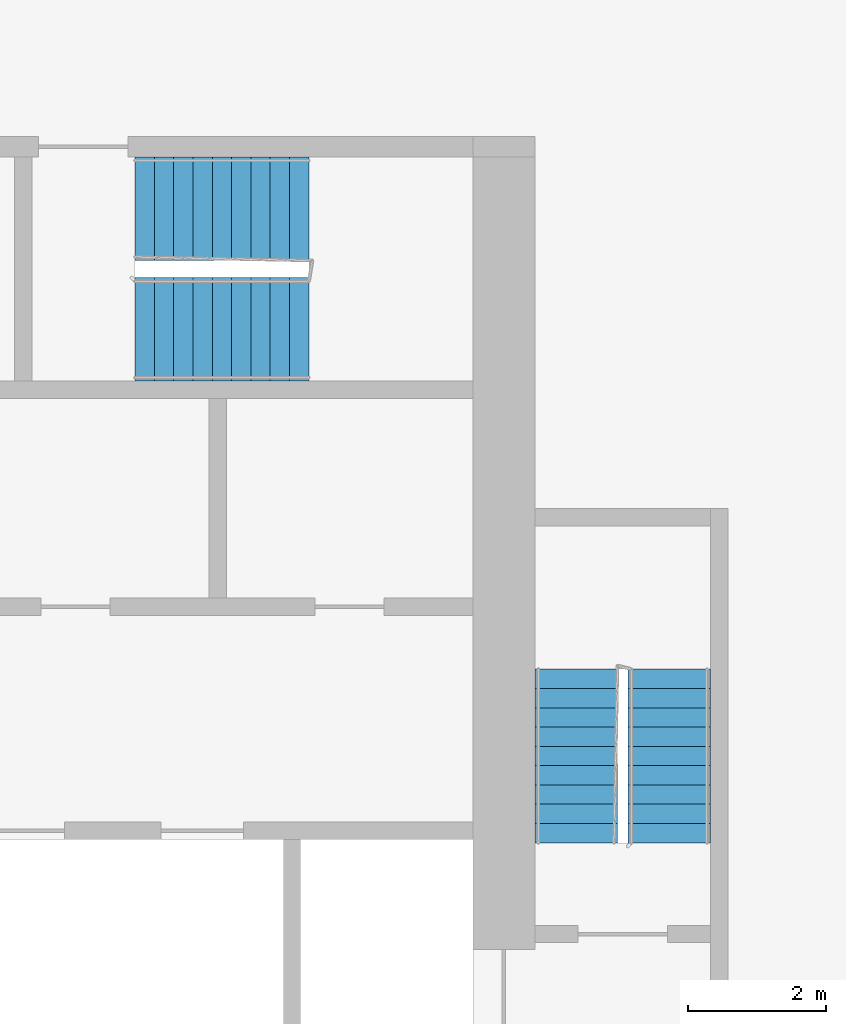
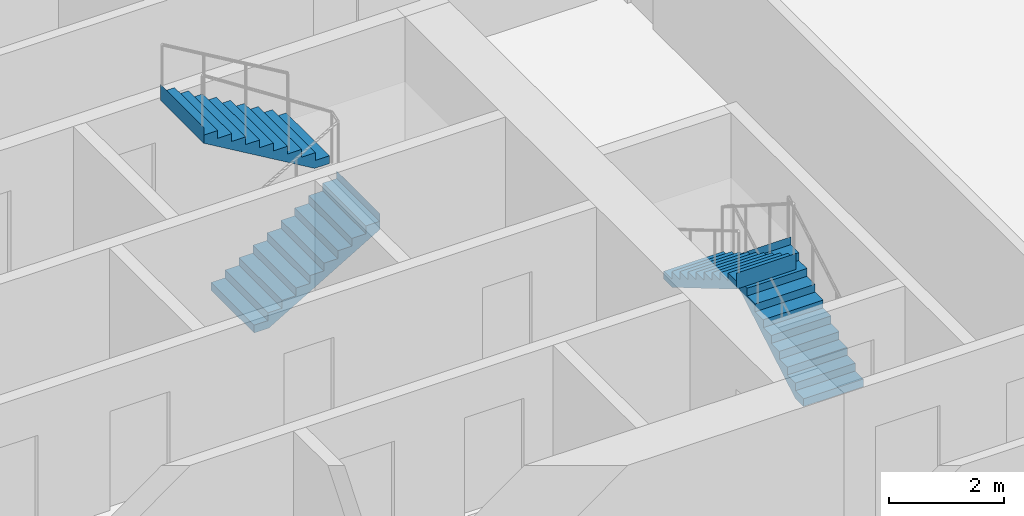
# One storey, part 10 of 12: 4 stair flights, 2 elements without a shape of their own.
"""IFC4 building model written with IfcOpenShell, lengths in metres."""

from ifc_helpers import new_model, si_unit, direction, frame, origin, place, context, subcontext, project, spatial, faceted_brep, material, type_object, element, aggregate, save


model = new_model("IFC4")

# Units and contexts
model_context = context("Model", 3, precision=1e-05, world=origin(), true_north=direction((0.0, 1.0)))
body_context = subcontext(model_context, "Body", "Model", "MODEL_VIEW")
ifc_project = project(units=[si_unit("LENGTHUNIT", "METRE"), si_unit("AREAUNIT", "SQUARE_METRE"), si_unit("VOLUMEUNIT", "CUBIC_METRE"), si_unit("PLANEANGLEUNIT", "RADIAN"), si_unit("MASSUNIT", "GRAM", prefix="KILO")], contexts=[model_context])

# Site, building, storey
site_placement = place(None, origin())
site = spatial("IfcSite", under=ifc_project, at=site_placement, CompositionType="ELEMENT")
building_placement = place(site_placement, origin())
building = spatial("IfcBuilding", under=site, at=building_placement, Name="Kajstack Hotel Tower", CompositionType="ELEMENT")
storey_placement = place(building_placement, frame((0.0, 0.0, 217.699951171875)))
storey = spatial("IfcBuildingStorey", under=building, at=storey_placement, Name="L52", CompositionType="ELEMENT", Elevation=217.699951171875)

# Stair, stair flights
ifc_material = material(Name="Concrete C40/50", Category="concrete")
stair_type_1 = type_object("IfcStairType", Name="Exit stair 1200", PredefinedType="HALF_TURN_STAIR", material=ifc_material)
stair_1_placement = place(storey_placement, origin())
stair_1 = element("IfcStair", 1, at=stair_1_placement, inside=storey, type_object=stair_type_1, Name="L52 stair E1", PredefinedType="HALF_TURN_STAIR")
stair_flight_type_1 = type_object("IfcStairFlightType", Name="Exit stair flight 1200", PredefinedType="STRAIGHT", material=ifc_material)
stair_flight_1_placement = place(storey_placement, frame((33.449951171875, 5.25, 0.0), z_axis=(0.0, 0.0, 1.0), x_axis=(0.0, 1.0, 0.0)))
stair_flight_1 = element("IfcStairFlight", 2, at=stair_flight_1_placement, type_object=stair_flight_type_1, Name="E1 flight 1", NumberOfRisers=10, NumberOfTreads=9, PredefinedType="STRAIGHT", RiserHeight=0.165, TreadLength=0.28, context=body_context, shape_type="Brep", body=[
    faceted_brep([(0.295654296875, -0.60009765625, 0.0), (2.5205078125, -0.60009765625, 1.31103515625), (2.5205078125, -0.60009765625, 1.64990234375), (2.52001953125, -0.60009765625, 1.64990234375), (2.52001953125, -0.60009765625, 1.485107421875), (2.239990234375, -0.60009765625, 1.485107421875), (2.239990234375, -0.60009765625, 1.320068359375), (1.9599609375, -0.60009765625, 1.320068359375), (1.9599609375, -0.60009765625, 1.155029296875), (1.679931640625, -0.60009765625, 1.155029296875), (1.679931640625, -0.60009765625, 0.989990234375), (1.39990234375, -0.60009765625, 0.989990234375), (1.39990234375, -0.60009765625, 0.824951171875), (1.1201171875, -0.60009765625, 0.824951171875), (1.1201171875, -0.60009765625, 0.659912109375), (0.840087890625, -0.60009765625, 0.659912109375), (0.840087890625, -0.60009765625, 0.4951171875), (0.56005859375, -0.60009765625, 0.4951171875), (0.56005859375, -0.60009765625, 0.330078125), (0.280029296875, -0.60009765625, 0.330078125), (0.280029296875, -0.60009765625, 0.1650390625), (-0.00048828125, -0.60009765625, 0.1650390625), (-0.00048828125, -0.60009765625, 0.0), (-0.00048828125, 0.60009765625, 0.0), (-0.00048828125, 0.60009765625, 0.1650390625), (0.280029296875, 0.60009765625, 0.1650390625), (0.280029296875, 0.60009765625, 0.330078125), (0.56005859375, 0.60009765625, 0.330078125), (0.56005859375, 0.60009765625, 0.4951171875), (0.840087890625, 0.60009765625, 0.4951171875), (0.840087890625, 0.60009765625, 0.659912109375), (1.1201171875, 0.60009765625, 0.659912109375), (1.1201171875, 0.60009765625, 0.824951171875), (1.39990234375, 0.60009765625, 0.824951171875), (1.39990234375, 0.60009765625, 0.989990234375), (1.679931640625, 0.60009765625, 0.989990234375), (1.679931640625, 0.60009765625, 1.155029296875), (1.9599609375, 0.60009765625, 1.155029296875), (1.9599609375, 0.60009765625, 1.320068359375), (2.239990234375, 0.60009765625, 1.320068359375), (2.239990234375, 0.60009765625, 1.485107421875), (2.52001953125, 0.60009765625, 1.485107421875), (2.52001953125, 0.60009765625, 1.64990234375), (2.5205078125, 0.60009765625, 1.64990234375), (2.5205078125, 0.60009765625, 1.31103515625), (0.295654296875, 0.60009765625, 0.0), (-0.00048828125, -0.300048828125, 0.1650390625), (-0.00048828125, 0.0, 0.1650390625), (-0.00048828125, 0.300048828125, 0.1650390625), (-0.00048828125, 0.300048828125, 0.0), (-0.00048828125, 0.0, 0.0), (-0.00048828125, -0.300048828125, 0.0), (0.280029296875, -0.300048828125, 0.1650390625), (0.280029296875, 0.0, 0.1650390625), (0.280029296875, 0.300048828125, 0.1650390625), (0.280029296875, -0.300048828125, 0.330078125), (0.280029296875, 0.0, 0.330078125), (0.280029296875, 0.300048828125, 0.330078125), (0.56005859375, -0.300048828125, 0.330078125), (0.56005859375, 0.0, 0.330078125), (0.56005859375, 0.300048828125, 0.330078125), (0.56005859375, -0.300048828125, 0.4951171875), (0.56005859375, 0.0, 0.4951171875), (0.56005859375, 0.300048828125, 0.4951171875), (0.840087890625, -0.300048828125, 0.4951171875), (0.840087890625, 0.0, 0.4951171875), (0.840087890625, 0.300048828125, 0.4951171875), (0.840087890625, -0.300048828125, 0.659912109375), (0.840087890625, 0.0, 0.659912109375), (0.840087890625, 0.300048828125, 0.659912109375), (1.1201171875, -0.300048828125, 0.659912109375), (1.1201171875, 0.0, 0.659912109375), (1.1201171875, 0.300048828125, 0.659912109375), (1.1201171875, -0.300048828125, 0.824951171875), (1.1201171875, 0.0, 0.824951171875), (1.1201171875, 0.300048828125, 0.824951171875), (1.39990234375, -0.300048828125, 0.824951171875), (1.39990234375, 0.0, 0.824951171875), (1.39990234375, 0.300048828125, 0.824951171875), (1.39990234375, -0.300048828125, 0.989990234375), (1.39990234375, 0.0, 0.989990234375), (1.39990234375, 0.300048828125, 0.989990234375), (1.679931640625, -0.300048828125, 0.989990234375), (1.679931640625, 0.0, 0.989990234375), (1.679931640625, 0.300048828125, 0.989990234375), (1.679931640625, -0.300048828125, 1.155029296875), (1.679931640625, 0.0, 1.155029296875), (1.679931640625, 0.300048828125, 1.155029296875), (1.9599609375, -0.300048828125, 1.155029296875), (1.9599609375, 0.0, 1.155029296875), (1.9599609375, 0.300048828125, 1.155029296875), (1.9599609375, -0.300048828125, 1.320068359375), (1.9599609375, 0.0, 1.320068359375), (1.9599609375, 0.300048828125, 1.320068359375), (2.239990234375, -0.300048828125, 1.320068359375), (2.239990234375, 0.0, 1.320068359375), (2.239990234375, 0.300048828125, 1.320068359375), (2.239990234375, -0.300048828125, 1.485107421875), (2.239990234375, 0.0, 1.485107421875), (2.239990234375, 0.300048828125, 1.485107421875), (2.52001953125, -0.300048828125, 1.485107421875), (2.52001953125, 0.0, 1.485107421875), (2.52001953125, 0.300048828125, 1.485107421875), (2.52001953125, -0.300048828125, 1.64990234375), (2.52001953125, 0.0, 1.64990234375), (2.52001953125, 0.300048828125, 1.64990234375), (2.5205078125, -0.300048828125, 1.64990234375), (2.5205078125, 0.0, 1.64990234375), (2.5205078125, 0.300048828125, 1.64990234375), (2.5205078125, -0.300048828125, 1.31103515625), (2.5205078125, 0.0, 1.31103515625), (2.5205078125, 0.300048828125, 1.31103515625), (0.295654296875, -0.300048828125, 0.0), (0.295654296875, 0.0, 0.0), (0.295654296875, 0.300048828125, 0.0)], [[[0, 1, 2, 3, 4, 5, 6, 7, 8, 9, 10, 11, 12, 13, 14, 15, 16, 17, 18, 19, 20, 21, 22]], [[23, 24, 25, 26, 27, 28, 29, 30, 31, 32, 33, 34, 35, 36, 37, 38, 39, 40, 41, 42, 43, 44, 45]], [[21, 46, 47, 48, 24, 23, 49, 50, 51, 22]], [[20, 52, 53, 54, 25, 24, 48, 47, 46, 21]], [[19, 55, 56, 57, 26, 25, 54, 53, 52, 20]], [[18, 58, 59, 60, 27, 26, 57, 56, 55, 19]], [[17, 61, 62, 63, 28, 27, 60, 59, 58, 18]], [[16, 64, 65, 66, 29, 28, 63, 62, 61, 17]], [[15, 67, 68, 69, 30, 29, 66, 65, 64, 16]], [[14, 70, 71, 72, 31, 30, 69, 68, 67, 15]], [[13, 73, 74, 75, 32, 31, 72, 71, 70, 14]], [[12, 76, 77, 78, 33, 32, 75, 74, 73, 13]], [[11, 79, 80, 81, 34, 33, 78, 77, 76, 12]], [[10, 82, 83, 84, 35, 34, 81, 80, 79, 11]], [[9, 85, 86, 87, 36, 35, 84, 83, 82, 10]], [[8, 88, 89, 90, 37, 36, 87, 86, 85, 9]], [[7, 91, 92, 93, 38, 37, 90, 89, 88, 8]], [[6, 94, 95, 96, 39, 38, 93, 92, 91, 7]], [[5, 97, 98, 99, 40, 39, 96, 95, 94, 6]], [[4, 100, 101, 102, 41, 40, 99, 98, 97, 5]], [[3, 103, 104, 105, 42, 41, 102, 101, 100, 4]], [[2, 106, 107, 108, 43, 42, 105, 104, 103, 3]], [[1, 109, 110, 111, 44, 43, 108, 107, 106, 2]], [[0, 112, 113, 114, 45, 44, 111, 110, 109, 1]], [[22, 51, 50, 49, 23, 45, 114, 113, 112, 0]]]),
])
stair_flight_2_placement = place(storey_placement, frame((32.10009765625, 7.77001953125, 1.650146484375), z_axis=(0.0, 0.0, 1.0), x_axis=(0.0, -1.0, 0.0)))
stair_flight_2 = element("IfcStairFlight", 3, at=stair_flight_2_placement, type_object=stair_flight_type_1, Name="E1 flight 2", NumberOfRisers=10, NumberOfTreads=9, PredefinedType="STRAIGHT", RiserHeight=0.165, TreadLength=0.28, context=body_context, shape_type="Brep", body=[
    faceted_brep([(0.295654296875, -0.60009765625, 0.0), (2.5205078125, -0.60009765625, 1.31103515625), (2.5205078125, -0.60009765625, 1.64990234375), (2.52001953125, -0.60009765625, 1.64990234375), (2.52001953125, -0.60009765625, 1.485107421875), (2.239990234375, -0.60009765625, 1.485107421875), (2.239990234375, -0.60009765625, 1.320068359375), (1.9599609375, -0.60009765625, 1.320068359375), (1.9599609375, -0.60009765625, 1.155029296875), (1.679931640625, -0.60009765625, 1.155029296875), (1.679931640625, -0.60009765625, 0.989990234375), (1.39990234375, -0.60009765625, 0.989990234375), (1.39990234375, -0.60009765625, 0.824951171875), (1.1201171875, -0.60009765625, 0.824951171875), (1.1201171875, -0.60009765625, 0.659912109375), (0.840087890625, -0.60009765625, 0.659912109375), (0.840087890625, -0.60009765625, 0.4951171875), (0.56005859375, -0.60009765625, 0.4951171875), (0.56005859375, -0.60009765625, 0.330078125), (0.280029296875, -0.60009765625, 0.330078125), (0.280029296875, -0.60009765625, 0.1650390625), (-0.00048828125, -0.60009765625, 0.1650390625), (-0.00048828125, -0.60009765625, 0.0), (-0.00048828125, 0.60009765625, 0.0), (-0.00048828125, 0.60009765625, 0.1650390625), (0.280029296875, 0.60009765625, 0.1650390625), (0.280029296875, 0.60009765625, 0.330078125), (0.56005859375, 0.60009765625, 0.330078125), (0.56005859375, 0.60009765625, 0.4951171875), (0.840087890625, 0.60009765625, 0.4951171875), (0.840087890625, 0.60009765625, 0.659912109375), (1.1201171875, 0.60009765625, 0.659912109375), (1.1201171875, 0.60009765625, 0.824951171875), (1.39990234375, 0.60009765625, 0.824951171875), (1.39990234375, 0.60009765625, 0.989990234375), (1.679931640625, 0.60009765625, 0.989990234375), (1.679931640625, 0.60009765625, 1.155029296875), (1.9599609375, 0.60009765625, 1.155029296875), (1.9599609375, 0.60009765625, 1.320068359375), (2.239990234375, 0.60009765625, 1.320068359375), (2.239990234375, 0.60009765625, 1.485107421875), (2.52001953125, 0.60009765625, 1.485107421875), (2.52001953125, 0.60009765625, 1.64990234375), (2.5205078125, 0.60009765625, 1.64990234375), (2.5205078125, 0.60009765625, 1.31103515625), (0.295654296875, 0.60009765625, 0.0), (-0.00048828125, -0.300048828125, 0.1650390625), (-0.00048828125, 0.0, 0.1650390625), (-0.00048828125, 0.300048828125, 0.1650390625), (-0.00048828125, 0.300048828125, 0.0), (-0.00048828125, 0.0, 0.0), (-0.00048828125, -0.300048828125, 0.0), (0.280029296875, -0.300048828125, 0.1650390625), (0.280029296875, 0.0, 0.1650390625), (0.280029296875, 0.300048828125, 0.1650390625), (0.280029296875, -0.300048828125, 0.330078125), (0.280029296875, 0.0, 0.330078125), (0.280029296875, 0.300048828125, 0.330078125), (0.56005859375, -0.300048828125, 0.330078125), (0.56005859375, 0.0, 0.330078125), (0.56005859375, 0.300048828125, 0.330078125), (0.56005859375, -0.300048828125, 0.4951171875), (0.56005859375, 0.0, 0.4951171875), (0.56005859375, 0.300048828125, 0.4951171875), (0.840087890625, -0.300048828125, 0.4951171875), (0.840087890625, 0.0, 0.4951171875), (0.840087890625, 0.300048828125, 0.4951171875), (0.840087890625, -0.300048828125, 0.659912109375), (0.840087890625, 0.0, 0.659912109375), (0.840087890625, 0.300048828125, 0.659912109375), (1.1201171875, -0.300048828125, 0.659912109375), (1.1201171875, 0.0, 0.659912109375), (1.1201171875, 0.300048828125, 0.659912109375), (1.1201171875, -0.300048828125, 0.824951171875), (1.1201171875, 0.0, 0.824951171875), (1.1201171875, 0.300048828125, 0.824951171875), (1.39990234375, -0.300048828125, 0.824951171875), (1.39990234375, 0.0, 0.824951171875), (1.39990234375, 0.300048828125, 0.824951171875), (1.39990234375, -0.300048828125, 0.989990234375), (1.39990234375, 0.0, 0.989990234375), (1.39990234375, 0.300048828125, 0.989990234375), (1.679931640625, -0.300048828125, 0.989990234375), (1.679931640625, 0.0, 0.989990234375), (1.679931640625, 0.300048828125, 0.989990234375), (1.679931640625, -0.300048828125, 1.155029296875), (1.679931640625, 0.0, 1.155029296875), (1.679931640625, 0.300048828125, 1.155029296875), (1.9599609375, -0.300048828125, 1.155029296875), (1.9599609375, 0.0, 1.155029296875), (1.9599609375, 0.300048828125, 1.155029296875), (1.9599609375, -0.300048828125, 1.320068359375), (1.9599609375, 0.0, 1.320068359375), (1.9599609375, 0.300048828125, 1.320068359375), (2.239990234375, -0.300048828125, 1.320068359375), (2.239990234375, 0.0, 1.320068359375), (2.239990234375, 0.300048828125, 1.320068359375), (2.239990234375, -0.300048828125, 1.485107421875), (2.239990234375, 0.0, 1.485107421875), (2.239990234375, 0.300048828125, 1.485107421875), (2.52001953125, -0.300048828125, 1.485107421875), (2.52001953125, 0.0, 1.485107421875), (2.52001953125, 0.300048828125, 1.485107421875), (2.52001953125, -0.300048828125, 1.64990234375), (2.52001953125, 0.0, 1.64990234375), (2.52001953125, 0.300048828125, 1.64990234375), (2.5205078125, -0.300048828125, 1.64990234375), (2.5205078125, 0.0, 1.64990234375), (2.5205078125, 0.300048828125, 1.64990234375), (2.5205078125, -0.300048828125, 1.31103515625), (2.5205078125, 0.0, 1.31103515625), (2.5205078125, 0.300048828125, 1.31103515625), (0.295654296875, -0.300048828125, 0.0), (0.295654296875, 0.0, 0.0), (0.295654296875, 0.300048828125, 0.0)], [[[0, 1, 2, 3, 4, 5, 6, 7, 8, 9, 10, 11, 12, 13, 14, 15, 16, 17, 18, 19, 20, 21, 22]], [[23, 24, 25, 26, 27, 28, 29, 30, 31, 32, 33, 34, 35, 36, 37, 38, 39, 40, 41, 42, 43, 44, 45]], [[21, 46, 47, 48, 24, 23, 49, 50, 51, 22]], [[20, 52, 53, 54, 25, 24, 48, 47, 46, 21]], [[19, 55, 56, 57, 26, 25, 54, 53, 52, 20]], [[18, 58, 59, 60, 27, 26, 57, 56, 55, 19]], [[17, 61, 62, 63, 28, 27, 60, 59, 58, 18]], [[16, 64, 65, 66, 29, 28, 63, 62, 61, 17]], [[15, 67, 68, 69, 30, 29, 66, 65, 64, 16]], [[14, 70, 71, 72, 31, 30, 69, 68, 67, 15]], [[13, 73, 74, 75, 32, 31, 72, 71, 70, 14]], [[12, 76, 77, 78, 33, 32, 75, 74, 73, 13]], [[11, 79, 80, 81, 34, 33, 78, 77, 76, 12]], [[10, 82, 83, 84, 35, 34, 81, 80, 79, 11]], [[9, 85, 86, 87, 36, 35, 84, 83, 82, 10]], [[8, 88, 89, 90, 37, 36, 87, 86, 85, 9]], [[7, 91, 92, 93, 38, 37, 90, 89, 88, 8]], [[6, 94, 95, 96, 39, 38, 93, 92, 91, 7]], [[5, 97, 98, 99, 40, 39, 96, 95, 94, 6]], [[4, 100, 101, 102, 41, 40, 99, 98, 97, 5]], [[3, 103, 104, 105, 42, 41, 102, 101, 100, 4]], [[2, 106, 107, 108, 43, 42, 105, 104, 103, 3]], [[1, 109, 110, 111, 44, 43, 108, 107, 106, 2]], [[0, 112, 113, 114, 45, 44, 111, 110, 109, 1]], [[22, 51, 50, 49, 23, 45, 114, 113, 112, 0]]]),
])
aggregate(stair_1, [stair_flight_1, stair_flight_2])

stair_type_2 = type_object("IfcStairType", Name="Exit stair 1500", PredefinedType="HALF_TURN_STAIR", material=ifc_material)
stair_2_placement = place(storey_placement, origin())
stair_2 = element("IfcStair", 4, at=stair_2_placement, inside=storey, type_object=stair_type_2, Name="L52 stair E3", PredefinedType="HALF_TURN_STAIR")
stair_flight_type_2 = type_object("IfcStairFlightType", Name="Exit stair flight 1500", PredefinedType="STRAIGHT", material=ifc_material)
stair_flight_3_placement = place(storey_placement, frame((25.699951171875, 12.699951171875, 0.0), z_axis=(0.0, 0.0, 1.0), x_axis=(1.0, 0.0, 0.0)))
stair_flight_3 = element("IfcStairFlight", 5, at=stair_flight_3_placement, type_object=stair_flight_type_2, Name="E3 flight 1", NumberOfRisers=10, NumberOfTreads=9, PredefinedType="STRAIGHT", RiserHeight=0.165, TreadLength=0.28, context=body_context, shape_type="Brep", body=[
    faceted_brep([(0.295654296875, -0.75, 0.0), (2.5205078125, -0.75, 1.31103515625), (2.5205078125, -0.75, 1.64990234375), (2.52001953125, -0.75, 1.64990234375), (2.52001953125, -0.75, 1.485107421875), (2.239990234375, -0.75, 1.485107421875), (2.239990234375, -0.75, 1.320068359375), (1.9599609375, -0.75, 1.320068359375), (1.9599609375, -0.75, 1.155029296875), (1.679931640625, -0.75, 1.155029296875), (1.679931640625, -0.75, 0.989990234375), (1.39990234375, -0.75, 0.989990234375), (1.39990234375, -0.75, 0.824951171875), (1.1201171875, -0.75, 0.824951171875), (1.1201171875, -0.75, 0.659912109375), (0.840087890625, -0.75, 0.659912109375), (0.840087890625, -0.75, 0.4951171875), (0.56005859375, -0.75, 0.4951171875), (0.56005859375, -0.75, 0.330078125), (0.280029296875, -0.75, 0.330078125), (0.280029296875, -0.75, 0.1650390625), (-0.00048828125, -0.75, 0.1650390625), (-0.00048828125, -0.75, 0.0), (-0.00048828125, 0.75, 0.0), (-0.00048828125, 0.75, 0.1650390625), (0.280029296875, 0.75, 0.1650390625), (0.280029296875, 0.75, 0.330078125), (0.56005859375, 0.75, 0.330078125), (0.56005859375, 0.75, 0.4951171875), (0.840087890625, 0.75, 0.4951171875), (0.840087890625, 0.75, 0.659912109375), (1.1201171875, 0.75, 0.659912109375), (1.1201171875, 0.75, 0.824951171875), (1.39990234375, 0.75, 0.824951171875), (1.39990234375, 0.75, 0.989990234375), (1.679931640625, 0.75, 0.989990234375), (1.679931640625, 0.75, 1.155029296875), (1.9599609375, 0.75, 1.155029296875), (1.9599609375, 0.75, 1.320068359375), (2.239990234375, 0.75, 1.320068359375), (2.239990234375, 0.75, 1.485107421875), (2.52001953125, 0.75, 1.485107421875), (2.52001953125, 0.75, 1.64990234375), (2.5205078125, 0.75, 1.64990234375), (2.5205078125, 0.75, 1.31103515625), (0.295654296875, 0.75, 0.0), (-0.00048828125, -0.375, 0.1650390625), (-0.00048828125, 0.0, 0.1650390625), (-0.00048828125, 0.375, 0.1650390625), (-0.00048828125, 0.375, 0.0), (-0.00048828125, 0.0, 0.0), (-0.00048828125, -0.375, 0.0), (0.280029296875, -0.375, 0.1650390625), (0.280029296875, 0.0, 0.1650390625), (0.280029296875, 0.375, 0.1650390625), (0.280029296875, -0.375, 0.330078125), (0.280029296875, 0.0, 0.330078125), (0.280029296875, 0.375, 0.330078125), (0.56005859375, -0.375, 0.330078125), (0.56005859375, 0.0, 0.330078125), (0.56005859375, 0.375, 0.330078125), (0.56005859375, -0.375, 0.4951171875), (0.56005859375, 0.0, 0.4951171875), (0.56005859375, 0.375, 0.4951171875), (0.840087890625, -0.375, 0.4951171875), (0.840087890625, 0.0, 0.4951171875), (0.840087890625, 0.375, 0.4951171875), (0.840087890625, -0.375, 0.659912109375), (0.840087890625, 0.0, 0.659912109375), (0.840087890625, 0.375, 0.659912109375), (1.1201171875, -0.375, 0.659912109375), (1.1201171875, 0.0, 0.659912109375), (1.1201171875, 0.375, 0.659912109375), (1.1201171875, -0.375, 0.824951171875), (1.1201171875, 0.0, 0.824951171875), (1.1201171875, 0.375, 0.824951171875), (1.39990234375, -0.375, 0.824951171875), (1.39990234375, 0.0, 0.824951171875), (1.39990234375, 0.375, 0.824951171875), (1.39990234375, -0.375, 0.989990234375), (1.39990234375, 0.0, 0.989990234375), (1.39990234375, 0.375, 0.989990234375), (1.679931640625, -0.375, 0.989990234375), (1.679931640625, 0.0, 0.989990234375), (1.679931640625, 0.375, 0.989990234375), (1.679931640625, -0.375, 1.155029296875), (1.679931640625, 0.0, 1.155029296875), (1.679931640625, 0.375, 1.155029296875), (1.9599609375, -0.375, 1.155029296875), (1.9599609375, 0.0, 1.155029296875), (1.9599609375, 0.375, 1.155029296875), (1.9599609375, -0.375, 1.320068359375), (1.9599609375, 0.0, 1.320068359375), (1.9599609375, 0.375, 1.320068359375), (2.239990234375, -0.375, 1.320068359375), (2.239990234375, 0.0, 1.320068359375), (2.239990234375, 0.375, 1.320068359375), (2.239990234375, -0.375, 1.485107421875), (2.239990234375, 0.0, 1.485107421875), (2.239990234375, 0.375, 1.485107421875), (2.52001953125, -0.375, 1.485107421875), (2.52001953125, 0.0, 1.485107421875), (2.52001953125, 0.375, 1.485107421875), (2.52001953125, -0.375, 1.64990234375), (2.52001953125, 0.0, 1.64990234375), (2.52001953125, 0.375, 1.64990234375), (2.5205078125, -0.375, 1.64990234375), (2.5205078125, 0.0, 1.64990234375), (2.5205078125, 0.375, 1.64990234375), (2.5205078125, -0.375, 1.31103515625), (2.5205078125, 0.0, 1.31103515625), (2.5205078125, 0.375, 1.31103515625), (0.295654296875, -0.375, 0.0), (0.295654296875, 0.0, 0.0), (0.295654296875, 0.375, 0.0)], [[[0, 1, 2, 3, 4, 5, 6, 7, 8, 9, 10, 11, 12, 13, 14, 15, 16, 17, 18, 19, 20, 21, 22]], [[23, 24, 25, 26, 27, 28, 29, 30, 31, 32, 33, 34, 35, 36, 37, 38, 39, 40, 41, 42, 43, 44, 45]], [[21, 46, 47, 48, 24, 23, 49, 50, 51, 22]], [[20, 52, 53, 54, 25, 24, 48, 47, 46, 21]], [[19, 55, 56, 57, 26, 25, 54, 53, 52, 20]], [[18, 58, 59, 60, 27, 26, 57, 56, 55, 19]], [[17, 61, 62, 63, 28, 27, 60, 59, 58, 18]], [[16, 64, 65, 66, 29, 28, 63, 62, 61, 17]], [[15, 67, 68, 69, 30, 29, 66, 65, 64, 16]], [[14, 70, 71, 72, 31, 30, 69, 68, 67, 15]], [[13, 73, 74, 75, 32, 31, 72, 71, 70, 14]], [[12, 76, 77, 78, 33, 32, 75, 74, 73, 13]], [[11, 79, 80, 81, 34, 33, 78, 77, 76, 12]], [[10, 82, 83, 84, 35, 34, 81, 80, 79, 11]], [[9, 85, 86, 87, 36, 35, 84, 83, 82, 10]], [[8, 88, 89, 90, 37, 36, 87, 86, 85, 9]], [[7, 91, 92, 93, 38, 37, 90, 89, 88, 8]], [[6, 94, 95, 96, 39, 38, 93, 92, 91, 7]], [[5, 97, 98, 99, 40, 39, 96, 95, 94, 6]], [[4, 100, 101, 102, 41, 40, 99, 98, 97, 5]], [[3, 103, 104, 105, 42, 41, 102, 101, 100, 4]], [[2, 106, 107, 108, 43, 42, 105, 104, 103, 3]], [[1, 109, 110, 111, 44, 43, 108, 107, 106, 2]], [[0, 112, 113, 114, 45, 44, 111, 110, 109, 1]], [[22, 51, 50, 49, 23, 45, 114, 113, 112, 0]]]),
])
stair_flight_4_placement = place(storey_placement, frame((28.219970703125, 14.449951171875, 1.650146484375), z_axis=(0.0, 0.0, 1.0), x_axis=(-1.0, 0.0, 0.0)))
stair_flight_4 = element("IfcStairFlight", 6, at=stair_flight_4_placement, type_object=stair_flight_type_2, Name="E3 flight 2", NumberOfRisers=10, NumberOfTreads=9, PredefinedType="STRAIGHT", RiserHeight=0.165, TreadLength=0.28, context=body_context, shape_type="Brep", body=[
    faceted_brep([(0.295654296875, -0.75, 0.0), (2.5205078125, -0.75, 1.31103515625), (2.5205078125, -0.75, 1.64990234375), (2.52001953125, -0.75, 1.64990234375), (2.52001953125, -0.75, 1.485107421875), (2.239990234375, -0.75, 1.485107421875), (2.239990234375, -0.75, 1.320068359375), (1.9599609375, -0.75, 1.320068359375), (1.9599609375, -0.75, 1.155029296875), (1.679931640625, -0.75, 1.155029296875), (1.679931640625, -0.75, 0.989990234375), (1.39990234375, -0.75, 0.989990234375), (1.39990234375, -0.75, 0.824951171875), (1.1201171875, -0.75, 0.824951171875), (1.1201171875, -0.75, 0.659912109375), (0.840087890625, -0.75, 0.659912109375), (0.840087890625, -0.75, 0.4951171875), (0.56005859375, -0.75, 0.4951171875), (0.56005859375, -0.75, 0.330078125), (0.280029296875, -0.75, 0.330078125), (0.280029296875, -0.75, 0.1650390625), (-0.00048828125, -0.75, 0.1650390625), (-0.00048828125, -0.75, 0.0), (-0.00048828125, 0.75, 0.0), (-0.00048828125, 0.75, 0.1650390625), (0.280029296875, 0.75, 0.1650390625), (0.280029296875, 0.75, 0.330078125), (0.56005859375, 0.75, 0.330078125), (0.56005859375, 0.75, 0.4951171875), (0.840087890625, 0.75, 0.4951171875), (0.840087890625, 0.75, 0.659912109375), (1.1201171875, 0.75, 0.659912109375), (1.1201171875, 0.75, 0.824951171875), (1.39990234375, 0.75, 0.824951171875), (1.39990234375, 0.75, 0.989990234375), (1.679931640625, 0.75, 0.989990234375), (1.679931640625, 0.75, 1.155029296875), (1.9599609375, 0.75, 1.155029296875), (1.9599609375, 0.75, 1.320068359375), (2.239990234375, 0.75, 1.320068359375), (2.239990234375, 0.75, 1.485107421875), (2.52001953125, 0.75, 1.485107421875), (2.52001953125, 0.75, 1.64990234375), (2.5205078125, 0.75, 1.64990234375), (2.5205078125, 0.75, 1.31103515625), (0.295654296875, 0.75, 0.0), (-0.00048828125, -0.375, 0.1650390625), (-0.00048828125, 0.0, 0.1650390625), (-0.00048828125, 0.375, 0.1650390625), (-0.00048828125, 0.375, 0.0), (-0.00048828125, 0.0, 0.0), (-0.00048828125, -0.375, 0.0), (0.280029296875, -0.375, 0.1650390625), (0.280029296875, 0.0, 0.1650390625), (0.280029296875, 0.375, 0.1650390625), (0.280029296875, -0.375, 0.330078125), (0.280029296875, 0.0, 0.330078125), (0.280029296875, 0.375, 0.330078125), (0.56005859375, -0.375, 0.330078125), (0.56005859375, 0.0, 0.330078125), (0.56005859375, 0.375, 0.330078125), (0.56005859375, -0.375, 0.4951171875), (0.56005859375, 0.0, 0.4951171875), (0.56005859375, 0.375, 0.4951171875), (0.840087890625, -0.375, 0.4951171875), (0.840087890625, 0.0, 0.4951171875), (0.840087890625, 0.375, 0.4951171875), (0.840087890625, -0.375, 0.659912109375), (0.840087890625, 0.0, 0.659912109375), (0.840087890625, 0.375, 0.659912109375), (1.1201171875, -0.375, 0.659912109375), (1.1201171875, 0.0, 0.659912109375), (1.1201171875, 0.375, 0.659912109375), (1.1201171875, -0.375, 0.824951171875), (1.1201171875, 0.0, 0.824951171875), (1.1201171875, 0.375, 0.824951171875), (1.39990234375, -0.375, 0.824951171875), (1.39990234375, 0.0, 0.824951171875), (1.39990234375, 0.375, 0.824951171875), (1.39990234375, -0.375, 0.989990234375), (1.39990234375, 0.0, 0.989990234375), (1.39990234375, 0.375, 0.989990234375), (1.679931640625, -0.375, 0.989990234375), (1.679931640625, 0.0, 0.989990234375), (1.679931640625, 0.375, 0.989990234375), (1.679931640625, -0.375, 1.155029296875), (1.679931640625, 0.0, 1.155029296875), (1.679931640625, 0.375, 1.155029296875), (1.9599609375, -0.375, 1.155029296875), (1.9599609375, 0.0, 1.155029296875), (1.9599609375, 0.375, 1.155029296875), (1.9599609375, -0.375, 1.320068359375), (1.9599609375, 0.0, 1.320068359375), (1.9599609375, 0.375, 1.320068359375), (2.239990234375, -0.375, 1.320068359375), (2.239990234375, 0.0, 1.320068359375), (2.239990234375, 0.375, 1.320068359375), (2.239990234375, -0.375, 1.485107421875), (2.239990234375, 0.0, 1.485107421875), (2.239990234375, 0.375, 1.485107421875), (2.52001953125, -0.375, 1.485107421875), (2.52001953125, 0.0, 1.485107421875), (2.52001953125, 0.375, 1.485107421875), (2.52001953125, -0.375, 1.64990234375), (2.52001953125, 0.0, 1.64990234375), (2.52001953125, 0.375, 1.64990234375), (2.5205078125, -0.375, 1.64990234375), (2.5205078125, 0.0, 1.64990234375), (2.5205078125, 0.375, 1.64990234375), (2.5205078125, -0.375, 1.31103515625), (2.5205078125, 0.0, 1.31103515625), (2.5205078125, 0.375, 1.31103515625), (0.295654296875, -0.375, 0.0), (0.295654296875, 0.0, 0.0), (0.295654296875, 0.375, 0.0)], [[[0, 1, 2, 3, 4, 5, 6, 7, 8, 9, 10, 11, 12, 13, 14, 15, 16, 17, 18, 19, 20, 21, 22]], [[23, 24, 25, 26, 27, 28, 29, 30, 31, 32, 33, 34, 35, 36, 37, 38, 39, 40, 41, 42, 43, 44, 45]], [[21, 46, 47, 48, 24, 23, 49, 50, 51, 22]], [[20, 52, 53, 54, 25, 24, 48, 47, 46, 21]], [[19, 55, 56, 57, 26, 25, 54, 53, 52, 20]], [[18, 58, 59, 60, 27, 26, 57, 56, 55, 19]], [[17, 61, 62, 63, 28, 27, 60, 59, 58, 18]], [[16, 64, 65, 66, 29, 28, 63, 62, 61, 17]], [[15, 67, 68, 69, 30, 29, 66, 65, 64, 16]], [[14, 70, 71, 72, 31, 30, 69, 68, 67, 15]], [[13, 73, 74, 75, 32, 31, 72, 71, 70, 14]], [[12, 76, 77, 78, 33, 32, 75, 74, 73, 13]], [[11, 79, 80, 81, 34, 33, 78, 77, 76, 12]], [[10, 82, 83, 84, 35, 34, 81, 80, 79, 11]], [[9, 85, 86, 87, 36, 35, 84, 83, 82, 10]], [[8, 88, 89, 90, 37, 36, 87, 86, 85, 9]], [[7, 91, 92, 93, 38, 37, 90, 89, 88, 8]], [[6, 94, 95, 96, 39, 38, 93, 92, 91, 7]], [[5, 97, 98, 99, 40, 39, 96, 95, 94, 6]], [[4, 100, 101, 102, 41, 40, 99, 98, 97, 5]], [[3, 103, 104, 105, 42, 41, 102, 101, 100, 4]], [[2, 106, 107, 108, 43, 42, 105, 104, 103, 3]], [[1, 109, 110, 111, 44, 43, 108, 107, 106, 2]], [[0, 112, 113, 114, 45, 44, 111, 110, 109, 1]], [[22, 51, 50, 49, 23, 45, 114, 113, 112, 0]]]),
])
aggregate(stair_2, [stair_flight_3, stair_flight_4])

save(model, "model.ifc")
